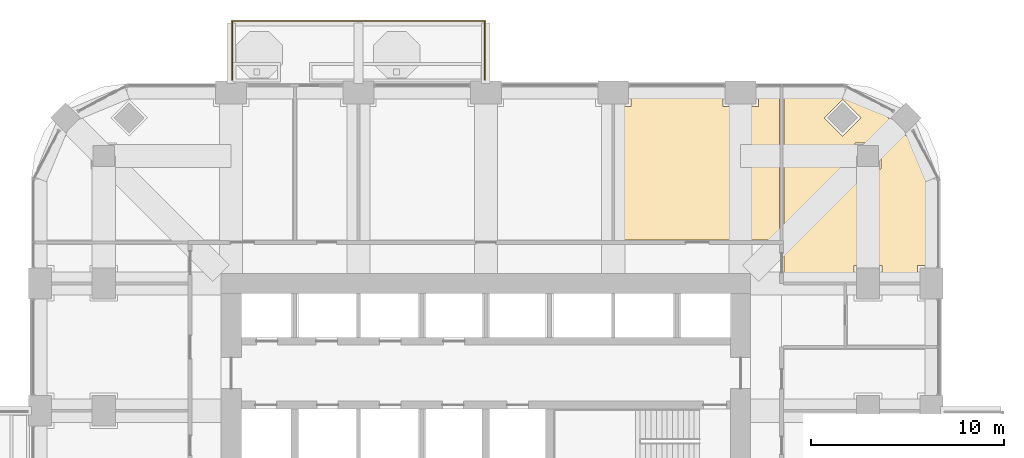
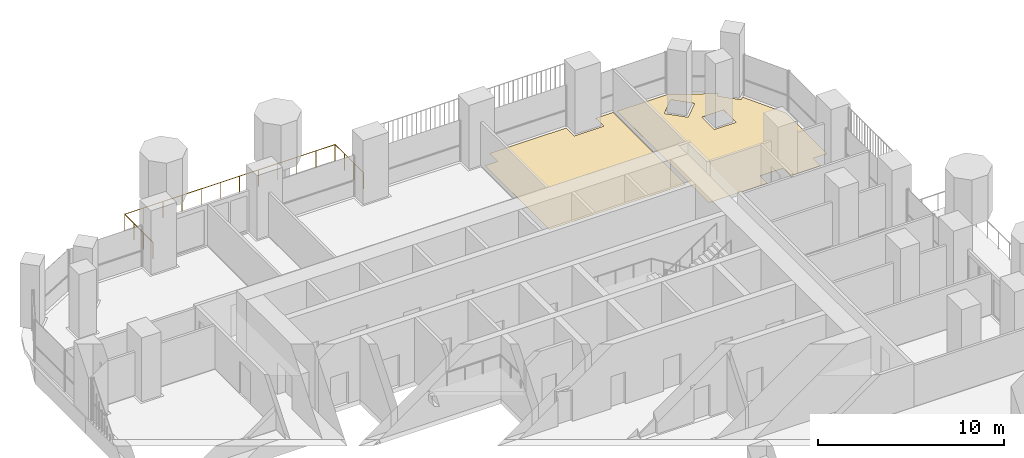
# One storey, part 19 of 20: 2 coverings, 1 railing.
"""IFC4 building model written with IfcOpenShell, lengths in metres."""

from ifc_helpers import new_model, si_unit, direction, frame, origin, place, context, subcontext, project, spatial, polyline, outline, extrude, material, layer, layer_set, type_object, element, save


model = new_model("IFC4")

# Units and contexts
model_context = context("Model", 3, precision=1e-05, world=origin(), true_north=direction((0.0, 1.0)))
body_context = subcontext(model_context, "Body", "Model", "MODEL_VIEW")
ifc_project = project(units=[si_unit("LENGTHUNIT", "METRE"), si_unit("AREAUNIT", "SQUARE_METRE"), si_unit("VOLUMEUNIT", "CUBIC_METRE"), si_unit("PLANEANGLEUNIT", "RADIAN"), si_unit("MASSUNIT", "GRAM", prefix="KILO")], contexts=[model_context])

# Site, building, storey
site_placement = place(None, origin())
site = spatial("IfcSite", under=ifc_project, at=site_placement, CompositionType="ELEMENT")
building_placement = place(site_placement, origin())
building = spatial("IfcBuilding", under=site, at=building_placement, Name="Cobogo Forest Laboratory Tower", CompositionType="ELEMENT")
storey_placement = place(building_placement, frame((0.0, 0.0, 193.5)))
storey = spatial("IfcBuildingStorey", under=building, at=storey_placement, Name="L44", CompositionType="ELEMENT", Elevation=193.5)

# Railing
ifc_material_1 = material(Name="Laminated glass balustrade", Category="glass")
railing_type = type_object("IfcRailingType", Name="BG1 glass balustrade 1100", PredefinedType="GUARDRAIL", material=ifc_material_1)
railing_placement = place(storey_placement, frame((13.25, 43.550048828125, 0.0)))
element("IfcRailing", 1, at=railing_placement, inside=storey, type_object=railing_type, Name="Balcony balustrade BAL-N1 L44", PredefinedType="GUARDRAIL", context=body_context, shape_type="SweptSolid", body=[
    extrude(outline(polyline([(0.022216796875, 0.00927734375), (0.00927734375, 0.022216796875), (-0.00927734375, 0.022216796875), (-0.022216796875, 0.00927734375), (-0.022216796875, -0.00927734375), (-0.00927734375, -0.022216796875), (0.00927734375, -0.022216796875), (0.022216796875, -0.00927734375), (0.022216796875, 0.00927734375)])), frame((0.0, 0.0, 1.077880859375), z_axis=(0.0, 1.0, 0.0), x_axis=(-1.0, 0.0, 0.0)), (0.0, 0.0, 1.0), 3.050048828125),
    extrude(outline(polyline([(0.022216796875, 0.00927734375), (0.00927734375, 0.022216796875), (-0.00927734375, 0.022216796875), (-0.022216796875, 0.00927734375), (-0.022216796875, -0.00927734375), (-0.00927734375, -0.022216796875), (0.00927734375, -0.022216796875), (0.022216796875, -0.00927734375), (0.022216796875, 0.00927734375)])), frame((0.0, 3.050048828125, 1.077880859375), z_axis=(1.0, 0.0, 0.0), x_axis=(0.0, 1.0, 0.0)), (0.0, 0.0, 1.0), 13.10009765625),
    extrude(outline(polyline([(0.022216796875, 0.00927734375), (0.00927734375, 0.022216796875), (-0.00927734375, 0.022216796875), (-0.022216796875, 0.00927734375), (-0.022216796875, -0.00927734375), (-0.00927734375, -0.022216796875), (0.00927734375, -0.022216796875), (0.022216796875, -0.00927734375), (0.022216796875, 0.00927734375)])), frame((13.10009765625, 3.050048828125, 1.077880859375), z_axis=(0.0, -1.0, 0.0), x_axis=(1.0, 0.0, 0.0)), (0.0, 0.0, 1.0), 3.050048828125),
    extrude(outline(polyline([(0.019287109375, 0.008056640625), (0.008056640625, 0.019287109375), (-0.008056640625, 0.019287109375), (-0.019287109375, 0.008056640625), (-0.019287109375, -0.008056640625), (-0.008056640625, -0.019287109375), (0.008056640625, -0.019287109375), (0.019287109375, -0.008056640625), (0.019287109375, 0.008056640625)])), origin(), (0.0, 0.0, 1.0), 1.077880859375),
    extrude(outline(polyline([(0.019287109375, 0.008056640625), (0.008056640625, 0.019287109375), (-0.008056640625, 0.019287109375), (-0.019287109375, 0.008056640625), (-0.019287109375, -0.008056640625), (-0.008056640625, -0.019287109375), (0.008056640625, -0.019287109375), (0.019287109375, -0.008056640625), (0.019287109375, 0.008056640625)])), frame((0.0, 1.0166015625, 0.0)), (0.0, 0.0, 1.0), 1.077880859375),
    extrude(outline(polyline([(0.019287109375, 0.008056640625), (0.008056640625, 0.019287109375), (-0.008056640625, 0.019287109375), (-0.019287109375, 0.008056640625), (-0.019287109375, -0.008056640625), (-0.008056640625, -0.019287109375), (0.008056640625, -0.019287109375), (0.019287109375, -0.008056640625), (0.019287109375, 0.008056640625)])), frame((0.0, 2.033447265625, 0.0)), (0.0, 0.0, 1.0), 1.077880859375),
    extrude(outline(polyline([(0.019287109375, 0.008056640625), (0.008056640625, 0.019287109375), (-0.008056640625, 0.019287109375), (-0.019287109375, 0.008056640625), (-0.019287109375, -0.008056640625), (-0.008056640625, -0.019287109375), (0.008056640625, -0.019287109375), (0.019287109375, -0.008056640625), (0.019287109375, 0.008056640625)])), frame((0.0, 3.050048828125, 0.0)), (0.0, 0.0, 1.0), 1.077880859375),
    extrude(outline(polyline([(0.019287109375, 0.008056640625), (0.008056640625, 0.019287109375), (-0.008056640625, 0.019287109375), (-0.019287109375, 0.008056640625), (-0.019287109375, -0.008056640625), (-0.008056640625, -0.019287109375), (0.008056640625, -0.019287109375), (0.019287109375, -0.008056640625), (0.019287109375, 0.008056640625)])), frame((1.19091796875, 3.050048828125, 0.0)), (0.0, 0.0, 1.0), 1.077880859375),
    extrude(outline(polyline([(0.019287109375, 0.008056640625), (0.008056640625, 0.019287109375), (-0.008056640625, 0.019287109375), (-0.019287109375, 0.008056640625), (-0.019287109375, -0.008056640625), (-0.008056640625, -0.019287109375), (0.008056640625, -0.019287109375), (0.019287109375, -0.008056640625), (0.019287109375, 0.008056640625)])), frame((2.3818359375, 3.050048828125, 0.0)), (0.0, 0.0, 1.0), 1.077880859375),
    extrude(outline(polyline([(0.019287109375, 0.008056640625), (0.008056640625, 0.019287109375), (-0.008056640625, 0.019287109375), (-0.019287109375, 0.008056640625), (-0.019287109375, -0.008056640625), (-0.008056640625, -0.019287109375), (0.008056640625, -0.019287109375), (0.019287109375, -0.008056640625), (0.019287109375, 0.008056640625)])), frame((3.57275390625, 3.050048828125, 0.0)), (0.0, 0.0, 1.0), 1.077880859375),
    extrude(outline(polyline([(0.019287109375, 0.008056640625), (0.008056640625, 0.019287109375), (-0.008056640625, 0.019287109375), (-0.019287109375, 0.008056640625), (-0.019287109375, -0.008056640625), (-0.008056640625, -0.019287109375), (0.008056640625, -0.019287109375), (0.019287109375, -0.008056640625), (0.019287109375, 0.008056640625)])), frame((4.763671875, 3.050048828125, 0.0)), (0.0, 0.0, 1.0), 1.077880859375),
    extrude(outline(polyline([(0.019287109375, 0.008056640625), (0.008056640625, 0.019287109375), (-0.008056640625, 0.019287109375), (-0.019287109375, 0.008056640625), (-0.019287109375, -0.008056640625), (-0.008056640625, -0.019287109375), (0.008056640625, -0.019287109375), (0.019287109375, -0.008056640625), (0.019287109375, 0.008056640625)])), frame((5.95458984375, 3.050048828125, 0.0)), (0.0, 0.0, 1.0), 1.077880859375),
    extrude(outline(polyline([(0.019287109375, 0.008056640625), (0.008056640625, 0.019287109375), (-0.008056640625, 0.019287109375), (-0.019287109375, 0.008056640625), (-0.019287109375, -0.008056640625), (-0.008056640625, -0.019287109375), (0.008056640625, -0.019287109375), (0.019287109375, -0.008056640625), (0.019287109375, 0.008056640625)])), frame((7.1455078125, 3.050048828125, 0.0)), (0.0, 0.0, 1.0), 1.077880859375),
    extrude(outline(polyline([(0.019287109375, 0.008056640625), (0.008056640625, 0.019287109375), (-0.008056640625, 0.019287109375), (-0.019287109375, 0.008056640625), (-0.019287109375, -0.008056640625), (-0.008056640625, -0.019287109375), (0.008056640625, -0.019287109375), (0.019287109375, -0.008056640625), (0.019287109375, 0.008056640625)])), frame((8.33642578125, 3.050048828125, 0.0)), (0.0, 0.0, 1.0), 1.077880859375),
    extrude(outline(polyline([(0.019287109375, 0.008056640625), (0.008056640625, 0.019287109375), (-0.008056640625, 0.019287109375), (-0.019287109375, 0.008056640625), (-0.019287109375, -0.008056640625), (-0.008056640625, -0.019287109375), (0.008056640625, -0.019287109375), (0.019287109375, -0.008056640625), (0.019287109375, 0.008056640625)])), frame((9.52734375, 3.050048828125, 0.0)), (0.0, 0.0, 1.0), 1.077880859375),
    extrude(outline(polyline([(0.019287109375, 0.008056640625), (0.008056640625, 0.019287109375), (-0.008056640625, 0.019287109375), (-0.019287109375, 0.008056640625), (-0.019287109375, -0.008056640625), (-0.008056640625, -0.019287109375), (0.008056640625, -0.019287109375), (0.019287109375, -0.008056640625), (0.019287109375, 0.008056640625)])), frame((10.71826171875, 3.050048828125, 0.0)), (0.0, 0.0, 1.0), 1.077880859375),
    extrude(outline(polyline([(0.019287109375, 0.008056640625), (0.008056640625, 0.019287109375), (-0.008056640625, 0.019287109375), (-0.019287109375, 0.008056640625), (-0.019287109375, -0.008056640625), (-0.008056640625, -0.019287109375), (0.008056640625, -0.019287109375), (0.019287109375, -0.008056640625), (0.019287109375, 0.008056640625)])), frame((11.9091796875, 3.050048828125, 0.0)), (0.0, 0.0, 1.0), 1.077880859375),
    extrude(outline(polyline([(0.019287109375, 0.008056640625), (0.008056640625, 0.019287109375), (-0.008056640625, 0.019287109375), (-0.019287109375, 0.008056640625), (-0.019287109375, -0.008056640625), (-0.008056640625, -0.019287109375), (0.008056640625, -0.019287109375), (0.019287109375, -0.008056640625), (0.019287109375, 0.008056640625)])), frame((13.10009765625, 3.050048828125, 0.0)), (0.0, 0.0, 1.0), 1.077880859375),
    extrude(outline(polyline([(0.019287109375, 0.008056640625), (0.008056640625, 0.019287109375), (-0.008056640625, 0.019287109375), (-0.019287109375, 0.008056640625), (-0.019287109375, -0.008056640625), (-0.008056640625, -0.019287109375), (0.008056640625, -0.019287109375), (0.019287109375, -0.008056640625), (0.019287109375, 0.008056640625)])), frame((13.10009765625, 2.033447265625, 0.0)), (0.0, 0.0, 1.0), 1.077880859375),
    extrude(outline(polyline([(0.019287109375, 0.008056640625), (0.008056640625, 0.019287109375), (-0.008056640625, 0.019287109375), (-0.019287109375, 0.008056640625), (-0.019287109375, -0.008056640625), (-0.008056640625, -0.019287109375), (0.008056640625, -0.019287109375), (0.019287109375, -0.008056640625), (0.019287109375, 0.008056640625)])), frame((13.10009765625, 1.0166015625, 0.0)), (0.0, 0.0, 1.0), 1.077880859375),
    extrude(outline(polyline([(0.019287109375, 0.008056640625), (0.008056640625, 0.019287109375), (-0.008056640625, 0.019287109375), (-0.019287109375, 0.008056640625), (-0.019287109375, -0.008056640625), (-0.008056640625, -0.019287109375), (0.008056640625, -0.019287109375), (0.019287109375, -0.008056640625), (0.019287109375, 0.008056640625)])), frame((13.10009765625, 0.0, 0.0)), (0.0, 0.0, 1.0), 1.077880859375),
])

# Coverings
ifc_material_2 = material(Name="Epoxy resin flooring", Category="flooring")
ifc_layer_1 = layer(ifc_material_2, 0.00390625)
ifc_layer_set_1 = layer_set([ifc_layer_1], Name="LF1 epoxy laboratory floor 4")
covering_type_1 = type_object("IfcCoveringType", Name="LF1 epoxy laboratory floor 4", PredefinedType="FLOORING", material=ifc_layer_set_1)
covering_1_placement = place(storey_placement, origin())
element("IfcCovering", 2, at=covering_1_placement, inside=storey, type_object=covering_type_1, Name="Epoxy laboratory floor L44-11", PredefinedType="FLOORING", context=body_context, shape_type="SweptSolid", body=[
    extrude(outline(polyline([(41.844970703125, 43.050048828125), (44.95068359375, 43.050048828125), (47.412109375, 41.759765625), (47.234375, 41.58203125), (48.181884765625, 40.634521484375), (48.359619140625, 40.812255859375), (49.64990234375, 38.350830078125), (49.64990234375, 33.919921875), (48.780029296875, 33.919921875), (48.780029296875, 33.1201171875), (46.919921875, 33.1201171875), (46.919921875, 33.919921875), (45.47998046875, 33.919921875), (45.47998046875, 33.1201171875), (41.844970703125, 33.1201171875), (41.844970703125, 43.050048828125)]), holes=[polyline([(45.530029296875, 40.27001953125), (45.530029296875, 38.929931640625), (46.8701171875, 38.929931640625), (46.8701171875, 40.27001953125), (45.530029296875, 40.27001953125)]), polyline([(44.882080078125, 40.634521484375), (45.82958984375, 41.58203125), (44.882080078125, 42.529541015625), (43.9345703125, 41.58203125), (44.882080078125, 40.634521484375)])]), origin(), (0.0, 0.0, 1.0), 0.00390625),
])
ifc_material_3 = material(Name="Static-dissipative vinyl flooring", Category="flooring")
ifc_layer_2 = layer(ifc_material_3, 0.0029296875)
ifc_layer_set_2 = layer_set([ifc_layer_2], Name="SD1 static-dissipative vinyl floor 3")
covering_type_2 = type_object("IfcCoveringType", Name="SD1 static-dissipative vinyl floor 3", PredefinedType="FLOORING", material=ifc_layer_set_2)
covering_2_placement = place(storey_placement, origin())
element("IfcCovering", 3, at=covering_2_placement, inside=storey, type_object=covering_type_2, Name="Static-dissipative floor L44-15", PredefinedType="FLOORING", context=body_context, shape_type="SweptSolid", body=[
    extrude(outline(polyline([(33.1201171875, 35.2451171875), (33.1201171875, 42.179931640625), (33.919921875, 42.179931640625), (33.919921875, 43.050048828125), (38.679931640625, 43.050048828125), (38.679931640625, 42.179931640625), (40.52001953125, 42.179931640625), (40.52001953125, 43.050048828125), (41.60498046875, 43.050048828125), (41.60498046875, 35.2451171875), (33.1201171875, 35.2451171875)])), origin(), (0.0, 0.0, 1.0), 0.0029296875),
])

save(model, "model.ifc")
